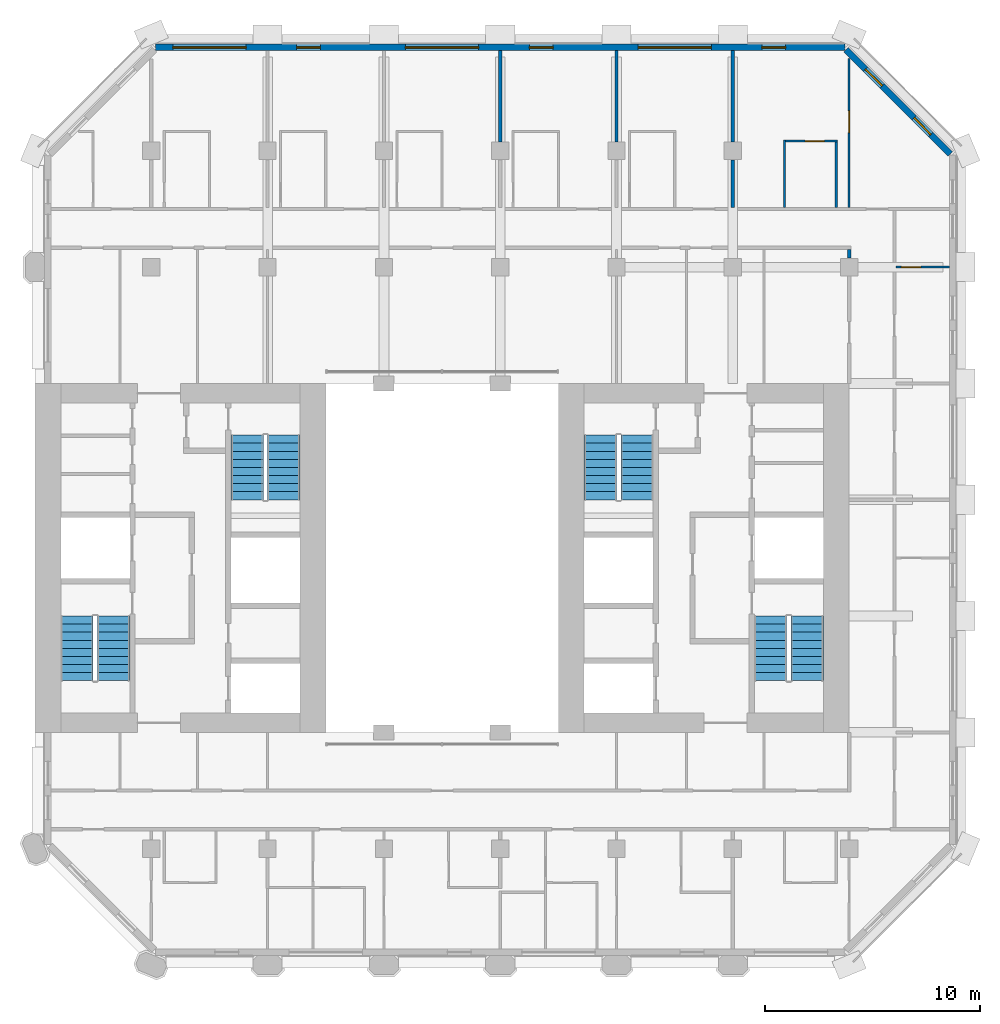
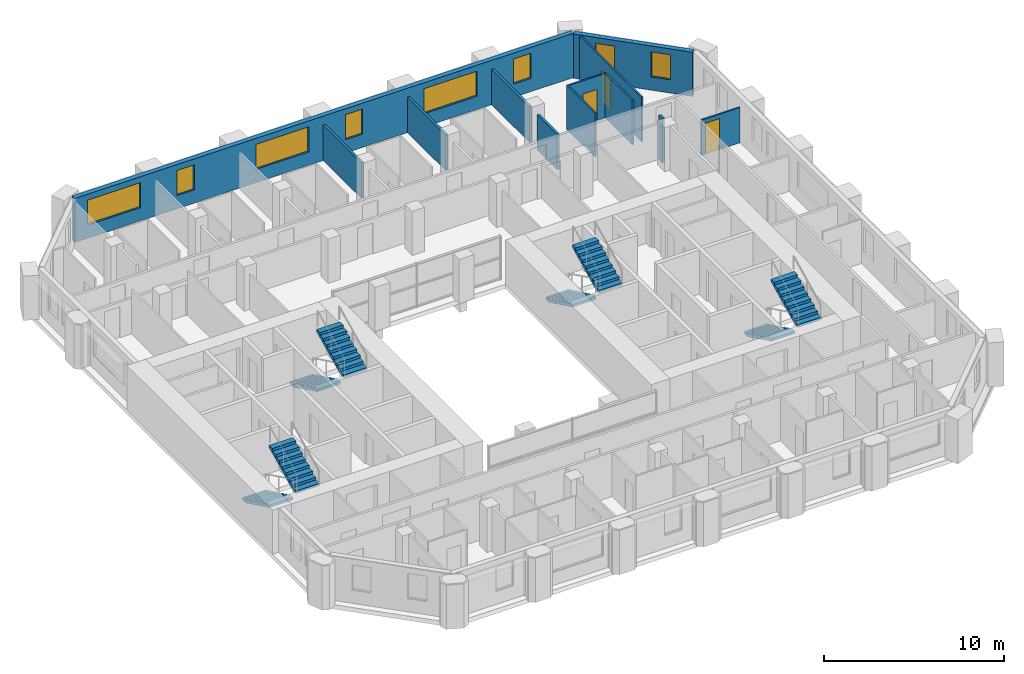
# One storey, part 9 of 12: 12 walls, 8 stair flights, 8 windows, 3 doors, 11 openings, 4 elements without a shape of their own.
"""IFC4 building model written with IfcOpenShell, lengths in metres."""

from ifc_helpers import new_model, si_unit, direction, frame, frame_2d, origin, place, context, subcontext, project, spatial, polyline, rectangle, outline, extrude, material, layer, layer_set, type_object, element, fill, aggregate, save


model = new_model("IFC4")

# Units and contexts
model_context = context("Model", 3, precision=1e-05, world=origin(), true_north=direction((0.0, 1.0)))
body_context = subcontext(model_context, "Body", "Model", "MODEL_VIEW")
ifc_project = project(units=[si_unit("LENGTHUNIT", "METRE"), si_unit("AREAUNIT", "SQUARE_METRE"), si_unit("VOLUMEUNIT", "CUBIC_METRE"), si_unit("PLANEANGLEUNIT", "RADIAN"), si_unit("MASSUNIT", "GRAM", prefix="KILO")], contexts=[model_context])

# Site, building, storey
site_placement = place(None, origin())
site = spatial("IfcSite", under=ifc_project, at=site_placement, CompositionType="ELEMENT")
building_placement = place(site_placement, origin())
building = spatial("IfcBuilding", under=site, at=building_placement, Name="Tabaq Tower and Sports Hall", CompositionType="ELEMENT")
storey_placement = place(building_placement, frame((0.0, 0.0, 184.0)))
storey = spatial("IfcBuildingStorey", under=building, at=storey_placement, Name="L44", CompositionType="ELEMENT", Elevation=184.0)

# Wall, opening, door
ifc_material_1 = material(Name="Gypsum board on steel studs", Category="steel")
ifc_layer_1 = layer(ifc_material_1, 0.10009765625)
ifc_layer_set_1 = layer_set([ifc_layer_1], Name="Partition 100 Gypsum board")
wall_type_1 = type_object("IfcWallType", Name="Partition 100 Gypsum board", PredefinedType="PARTITIONING", material=ifc_layer_set_1)
wall_1_placement = place(storey_placement, frame((47.84912109375, 37.800048828125, 0.0), z_axis=(0.0, 0.0, 1.0), x_axis=(-1.0, 0.0, 0.0)))
wall_1 = element("IfcWall", 1, at=wall_1_placement, inside=storey, type_object=wall_type_1, Name="Partition wall L44", PredefinedType="PARTITIONING", context=body_context, shape_type="SweptSolid", body=[
    extrude(rectangle(XDim=2.47412109375, YDim=0.10009765625, at=frame_2d((1.237060546875, 0.0))), origin(), (0.0, 0.0, 1.0), 2.39990234375),
])
opening_1_placement = place(wall_1_placement, frame((1.323974609375, 0.0, 0.0)))
opening_1 = element("IfcOpeningElement", 2, at=opening_1_placement, cuts=wall_1, Name="Opening L44-001", PredefinedType="OPENING", context=body_context, shape_type="SweptSolid", body=[
    extrude(rectangle(XDim=0.89990234375, YDim=2.10009765625, at=frame_2d((0.449951171875, 1.050048828125))), frame((0.0, 0.050048828125, 0.0), z_axis=(0.0, -1.0, 0.0), x_axis=(1.0, 0.0, 0.0)), (0.0, 0.0, 1.0), 0.10009765625),
])
ifc_material_2 = material(Name="Timber leaf in steel frame", Category="steel")
door_type_1 = type_object("IfcDoorType", Name="Internal door 900 left hand", OperationType="SINGLE_SWING_LEFT", PredefinedType="DOOR", material=ifc_material_2)
door_1_placement = place(opening_1_placement, origin())
door_1 = element("IfcDoor", 3, at=door_1_placement, inside=storey, type_object=door_type_1, Name="Internal door L44-001", OperationType="SINGLE_SWING_LEFT", OverallHeight=2.10009765625, OverallWidth=0.89990234375, PredefinedType="DOOR", context=body_context, shape_type="SweptSolid", body=[
    extrude(rectangle(XDim=0.89990234375, YDim=2.10009765625, at=frame_2d((0.449951171875, 1.050048828125))), frame((0.0, 0.02490234375, 0.0), z_axis=(0.0, -1.0, 0.0), x_axis=(1.0, 0.0, 0.0)), (0.0, 0.0, 1.0), 0.050048828125),
])
fill(opening_1, door_1)

# Wall
wall_2_placement = place(storey_placement, frame((40.199951171875, 40.574951171875, 0.0), z_axis=(0.0, 0.0, 1.0), x_axis=(0.0, 1.0, 0.0)))
element("IfcWall", 4, at=wall_2_placement, inside=storey, type_object=wall_type_1, Name="Partition wall L44", PredefinedType="PARTITIONING", context=body_context, shape_type="SweptSolid", body=[
    extrude(rectangle(XDim=3.125, YDim=0.10009765625, at=frame_2d((1.5625, 0.0))), origin(), (0.0, 0.0, 1.0), 3.0),
])

# Wall, opening, door
wall_3_placement = place(storey_placement, frame((40.25, 43.64990234375, 0.0), z_axis=(0.0, 0.0, 1.0), x_axis=(1.0, 0.0, 0.0)))
wall_3 = element("IfcWall", 5, at=wall_3_placement, inside=storey, type_object=wall_type_1, Name="Partition wall L44", PredefinedType="PARTITIONING", context=body_context, shape_type="SweptSolid", body=[
    extrude(rectangle(XDim=2.39990234375, YDim=0.10009765625, at=frame_2d((1.199951171875, 0.0))), origin(), (0.0, 0.0, 1.0), 3.0),
])
opening_2_placement = place(wall_3_placement, frame((0.89990234375, 0.0, 0.0)))
opening_2 = element("IfcOpeningElement", 6, at=opening_2_placement, cuts=wall_3, Name="Opening L44-008", PredefinedType="OPENING", context=body_context, shape_type="SweptSolid", body=[
    extrude(rectangle(XDim=0.89990234375, YDim=2.10009765625, at=frame_2d((0.449951171875, 1.050048828125))), frame((0.0, 0.050048828125, 0.0), z_axis=(0.0, -1.0, 0.0), x_axis=(1.0, 0.0, 0.0)), (0.0, 0.0, 1.0), 0.10009765625),
])
ifc_material_3 = material(Name="Timber leaf in steel frame", Category="steel")
door_type_2 = type_object("IfcDoorType", Name="Internal door 900 right hand", OperationType="SINGLE_SWING_RIGHT", PredefinedType="DOOR", material=ifc_material_3)
door_2_placement = place(opening_2_placement, origin())
door_2 = element("IfcDoor", 7, at=door_2_placement, inside=storey, type_object=door_type_2, Name="Internal door L44-008", OperationType="SINGLE_SWING_RIGHT", OverallHeight=2.10009765625, OverallWidth=0.89990234375, PredefinedType="DOOR", context=body_context, shape_type="SweptSolid", body=[
    extrude(rectangle(XDim=0.89990234375, YDim=2.10009765625, at=frame_2d((0.449951171875, 1.050048828125))), frame((0.0, 0.02490234375, 0.0), z_axis=(0.0, -1.0, 0.0), x_axis=(1.0, 0.0, 0.0)), (0.0, 0.0, 1.0), 0.050048828125),
])
fill(opening_2, door_2)

# Wall
wall_4_placement = place(storey_placement, frame((42.60009765625, 43.60009765625, 0.0), z_axis=(0.0, 0.0, 1.0), x_axis=(0.0, -1.0, 0.0)))
element("IfcWall", 8, at=wall_4_placement, inside=storey, type_object=wall_type_1, Name="Partition wall L44", PredefinedType="PARTITIONING", context=body_context, shape_type="SweptSolid", body=[
    extrude(rectangle(XDim=3.025146484375, YDim=0.10009765625, at=frame_2d((1.5126953125, 0.0))), origin(), (0.0, 0.0, 1.0), 3.0),
])

# Wall, opening, door
wall_5_placement = place(storey_placement, frame((43.199951171875, 40.574951171875, 0.0), z_axis=(0.0, 0.0, 1.0), x_axis=(0.0, 1.0, 0.0)))
wall_5 = element("IfcWall", 9, at=wall_5_placement, inside=storey, type_object=wall_type_1, Name="Partition wall L44", PredefinedType="PARTITIONING", context=body_context, shape_type="SweptSolid", body=[
    extrude(rectangle(XDim=6.912841796875, YDim=0.10009765625, at=frame_2d((3.45654296875, 0.0))), origin(), (0.0, 0.0, 1.0), 3.0),
])
opening_3_placement = place(wall_5_placement, frame((3.47509765625, 0.0, 0.0)))
opening_3 = element("IfcOpeningElement", 10, at=opening_3_placement, cuts=wall_5, Name="Opening L44-037", PredefinedType="OPENING", context=body_context, shape_type="SweptSolid", body=[
    extrude(rectangle(XDim=1.0, YDim=2.10009765625, at=frame_2d((0.5, 1.050048828125))), frame((0.0, 0.050048828125, 0.0), z_axis=(0.0, -1.0, 0.0), x_axis=(1.0, 0.0, 0.0)), (0.0, 0.0, 1.0), 0.10009765625),
])
ifc_material_4 = material(Name="Timber leaf in steel frame", Category="steel")
door_type_3 = type_object("IfcDoorType", Name="Internal door 1000 right hand", OperationType="SINGLE_SWING_RIGHT", PredefinedType="DOOR", material=ifc_material_4)
door_3_placement = place(opening_3_placement, origin())
door_3 = element("IfcDoor", 11, at=door_3_placement, inside=storey, type_object=door_type_3, Name="Internal door L44-037", OperationType="SINGLE_SWING_RIGHT", OverallHeight=2.10009765625, OverallWidth=1.0, PredefinedType="DOOR", context=body_context, shape_type="SweptSolid", body=[
    extrude(rectangle(XDim=1.0, YDim=2.10009765625, at=frame_2d((0.5, 1.050048828125))), frame((0.0, 0.02490234375, 0.0), z_axis=(0.0, -1.0, 0.0), x_axis=(1.0, 0.0, 0.0)), (0.0, 0.0, 1.0), 0.050048828125),
])
fill(opening_3, door_3)

# Walls
ifc_material_5 = material(Name="Blockwork", Category="masonry")
ifc_layer_2 = layer(ifc_material_5, 0.14990234375)
ifc_layer_set_2 = layer_set([ifc_layer_2], Name="Separating wall 150 Blockwork")
wall_type_2 = type_object("IfcWallType", Name="Separating wall 150 Blockwork", PredefinedType="PARTITIONING", material=ifc_layer_set_2)
for number, where, z_axis, x_axis, name in (
    (12, (27.0, 43.6201171875, 0.0), (0.0, 0.0, 1.0), (0.0, 1.0, 0.0), "Separating wall L44"),
    (13, (32.39990234375, 43.6201171875, 0.0), (0.0, 0.0, 1.0), (0.0, 1.0, 0.0), "Separating wall L44"),
):
    element("IfcWall", number, at=place(storey_placement, frame(where, z_axis=z_axis, x_axis=x_axis)), inside=storey, type_object=wall_type_2, Name=name, PredefinedType="PARTITIONING", context=body_context, shape_type="SweptSolid", body=[
        extrude(rectangle(XDim=4.22900390625, YDim=0.14990234375, at=frame_2d((2.114501953125, 0.0))), origin(), (0.0, 0.0, 1.0), 2.39990234375),
    ])
wall_6_placement = place(storey_placement, frame((37.800048828125, 40.574951171875, 0.0), z_axis=(0.0, 0.0, 1.0), x_axis=(0.0, 1.0, 0.0)))
element("IfcWall", 14, at=wall_6_placement, inside=storey, type_object=wall_type_2, Name="Separating wall L44", PredefinedType="PARTITIONING", context=body_context, shape_type="SweptSolid", body=[
    extrude(rectangle(XDim=2.205078125, YDim=0.14990234375, at=frame_2d((1.1025390625, 0.0))), origin(), (0.0, 0.0, 1.0), 2.39990234375),
])
wall_7_placement = place(storey_placement, frame((37.800048828125, 43.6201171875, 0.0), z_axis=(0.0, 0.0, 1.0), x_axis=(0.0, 1.0, 0.0)))
element("IfcWall", 15, at=wall_7_placement, inside=storey, type_object=wall_type_2, Name="Separating wall L44", PredefinedType="PARTITIONING", context=body_context, shape_type="SweptSolid", body=[
    extrude(rectangle(XDim=4.22900390625, YDim=0.14990234375, at=frame_2d((2.114501953125, 0.0))), origin(), (0.0, 0.0, 1.0), 2.39990234375),
])
wall_8_placement = place(storey_placement, frame((43.199951171875, 38.625, 0.0), z_axis=(0.0, 0.0, 1.0), x_axis=(0.0, -1.0, 0.0)))
element("IfcWall", 16, at=wall_8_placement, inside=storey, type_object=wall_type_2, Name="Separating wall L44", PredefinedType="PARTITIONING", context=body_context, shape_type="SweptSolid", body=[
    extrude(rectangle(XDim=0.405029296875, YDim=0.14990234375, at=frame_2d((0.20263671875, 0.0))), origin(), (0.0, 0.0, 1.0), 3.0),
])

# Wall, openings, windows
ifc_material_6 = material(Name="White precast concrete C60/75", Category="concrete")
ifc_layer_3 = layer(ifc_material_6, 0.300048828125)
ifc_layer_set_3 = layer_set([ifc_layer_3], Name="White precast concrete C60/75 external wall 300")
wall_type_3 = type_object("IfcWallType", Name="White precast concrete C60/75 external wall 300", PredefinedType="SOLIDWALL", material=ifc_layer_set_3)
wall_9_placement = place(storey_placement, frame((47.901123046875, 43.050537109375, 0.0), z_axis=(0.0, 0.0, 1.0), x_axis=(-0.707106781187, 0.707106781187, 0.0)))
wall_9 = element("IfcWall", 17, at=wall_9_placement, inside=storey, type_object=wall_type_3, Name="External Wall L44 NE", PredefinedType="SOLIDWALL", context=body_context, shape_type="SweptSolid", body=[
    extrude(rectangle(XDim=6.85986328125, YDim=0.300048828125, at=frame_2d((3.429931640625, 0.0))), origin(), (0.0, 0.0, 1.0), 3.0),
])
opening_4_placement = place(wall_9_placement, frame((1.27978515625, 0.0, 0.89990234375)))
opening_4 = element("IfcOpeningElement", 18, at=opening_4_placement, cuts=wall_9, Name="Opening W1B", PredefinedType="OPENING", context=body_context, shape_type="SweptSolid", body=[
    extrude(rectangle(XDim=1.10009765625, YDim=1.699951171875, at=frame_2d((0.550048828125, 0.85009765625))), frame((0.0, 0.16015625, 0.0), z_axis=(0.0, -1.0, 0.0), x_axis=(1.0, 0.0, 0.0)), (0.0, 0.0, 1.0), 0.320068359375),
])
opening_5_placement = place(wall_9_placement, frame((4.479736328125, 0.0, 0.89990234375)))
opening_5 = element("IfcOpeningElement", 19, at=opening_5_placement, cuts=wall_9, Name="Opening W1B", PredefinedType="OPENING", context=body_context, shape_type="SweptSolid", body=[
    extrude(rectangle(XDim=1.10009765625, YDim=1.699951171875, at=frame_2d((0.550048828125, 0.85009765625))), frame((0.0, 0.16015625, 0.0), z_axis=(0.0, -1.0, 0.0), x_axis=(1.0, 0.0, 0.0)), (0.0, 0.0, 1.0), 0.320068359375),
])
ifc_material_7 = material(Name="Aluminium framed clear glazing", Category="aluminium")
window_type_1 = type_object("IfcWindowType", Name="Window W1B", PartitioningType="SINGLE_PANEL", PredefinedType="WINDOW", material=ifc_material_7)
window_1_placement = place(opening_4_placement, origin())
window_1 = element("IfcWindow", 20, at=window_1_placement, inside=storey, type_object=window_type_1, Name="Window W1B L44", OverallHeight=1.699951171875, OverallWidth=1.10009765625, PartitioningType="SINGLE_PANEL", PredefinedType="WINDOW", context=body_context, shape_type="SweptSolid", body=[
    extrude(rectangle(XDim=1.10009765625, YDim=1.699951171875, at=frame_2d((0.550048828125, 0.85009765625))), frame((0.0, 0.030029296875, 0.0), z_axis=(0.0, -1.0, 0.0), x_axis=(1.0, 0.0, 0.0)), (0.0, 0.0, 1.0), 0.06005859375),
])
fill(opening_4, window_1)
window_2_placement = place(opening_5_placement, origin())
window_2 = element("IfcWindow", 21, at=window_2_placement, inside=storey, type_object=window_type_1, Name="Window W1B L44", OverallHeight=1.699951171875, OverallWidth=1.10009765625, PartitioningType="SINGLE_PANEL", PredefinedType="WINDOW", context=body_context, shape_type="SweptSolid", body=[
    extrude(rectangle(XDim=1.10009765625, YDim=1.699951171875, at=frame_2d((0.550048828125, 0.85009765625))), frame((0.0, 0.030029296875, 0.0), z_axis=(0.0, -1.0, 0.0), x_axis=(1.0, 0.0, 0.0)), (0.0, 0.0, 1.0), 0.06005859375),
])
fill(opening_5, window_2)

wall_10_placement = place(storey_placement, frame((43.013671875, 48.0, 0.0), z_axis=(0.0, 0.0, 1.0), x_axis=(-1.0, 0.0, 0.0)))
wall_10 = element("IfcWall", 22, at=wall_10_placement, inside=storey, type_object=wall_type_3, Name="External Wall L44 N", PredefinedType="SOLIDWALL", context=body_context, shape_type="SweptSolid", body=[
    extrude(rectangle(XDim=32.02734375, YDim=0.300048828125, at=frame_2d((16.013671875, 0.0))), origin(), (0.0, 0.0, 1.0), 3.0),
])
opening_6_placement = place(wall_10_placement, frame((2.763671875, 0.0, 0.89990234375)))
opening_6 = element("IfcOpeningElement", 23, at=opening_6_placement, cuts=wall_10, Name="Opening W1B", PredefinedType="OPENING", context=body_context, shape_type="SweptSolid", body=[
    extrude(rectangle(XDim=1.10009765625, YDim=1.699951171875, at=frame_2d((0.550048828125, 0.85009765625))), frame((0.0, 0.16015625, 0.0), z_axis=(0.0, -1.0, 0.0), x_axis=(1.0, 0.0, 0.0)), (0.0, 0.0, 1.0), 0.320068359375),
])
opening_7_placement = place(wall_10_placement, frame((6.213623046875, 0.0, 0.89990234375)))
opening_7 = element("IfcOpeningElement", 24, at=opening_7_placement, cuts=wall_10, Name="Opening W1A", PredefinedType="OPENING", context=body_context, shape_type="SweptSolid", body=[
    extrude(rectangle(XDim=3.39990234375, YDim=1.699951171875, at=frame_2d((1.699951171875, 0.85009765625))), frame((0.0, 0.16015625, 0.0), z_axis=(0.0, -1.0, 0.0), x_axis=(1.0, 0.0, 0.0)), (0.0, 0.0, 1.0), 0.320068359375),
])
opening_8_placement = place(wall_10_placement, frame((13.563720703125, 0.0, 0.89990234375)))
opening_8 = element("IfcOpeningElement", 25, at=opening_8_placement, cuts=wall_10, Name="Opening W1B", PredefinedType="OPENING", context=body_context, shape_type="SweptSolid", body=[
    extrude(rectangle(XDim=1.10009765625, YDim=1.699951171875, at=frame_2d((0.550048828125, 0.85009765625))), frame((0.0, 0.16015625, 0.0), z_axis=(0.0, -1.0, 0.0), x_axis=(1.0, 0.0, 0.0)), (0.0, 0.0, 1.0), 0.320068359375),
])
opening_9_placement = place(wall_10_placement, frame((17.013671875, 0.0, 0.89990234375)))
opening_9 = element("IfcOpeningElement", 26, at=opening_9_placement, cuts=wall_10, Name="Opening W1A", PredefinedType="OPENING", context=body_context, shape_type="SweptSolid", body=[
    extrude(rectangle(XDim=3.39990234375, YDim=1.699951171875, at=frame_2d((1.699951171875, 0.85009765625))), frame((0.0, 0.16015625, 0.0), z_axis=(0.0, -1.0, 0.0), x_axis=(1.0, 0.0, 0.0)), (0.0, 0.0, 1.0), 0.320068359375),
])
opening_10_placement = place(wall_10_placement, frame((24.363525390625, 0.0, 0.89990234375)))
opening_10 = element("IfcOpeningElement", 27, at=opening_10_placement, cuts=wall_10, Name="Opening W1B", PredefinedType="OPENING", context=body_context, shape_type="SweptSolid", body=[
    extrude(rectangle(XDim=1.10009765625, YDim=1.699951171875, at=frame_2d((0.550048828125, 0.85009765625))), frame((0.0, 0.16015625, 0.0), z_axis=(0.0, -1.0, 0.0), x_axis=(1.0, 0.0, 0.0)), (0.0, 0.0, 1.0), 0.320068359375),
])
opening_11_placement = place(wall_10_placement, frame((27.813720703125, 0.0, 0.89990234375)))
opening_11 = element("IfcOpeningElement", 28, at=opening_11_placement, cuts=wall_10, Name="Opening W1A", PredefinedType="OPENING", context=body_context, shape_type="SweptSolid", body=[
    extrude(rectangle(XDim=3.39990234375, YDim=1.699951171875, at=frame_2d((1.699951171875, 0.85009765625))), frame((0.0, 0.16015625, 0.0), z_axis=(0.0, -1.0, 0.0), x_axis=(1.0, 0.0, 0.0)), (0.0, 0.0, 1.0), 0.320068359375),
])
ifc_material_8 = material(Name="Aluminium framed clear glazing", Category="aluminium")
window_type_2 = type_object("IfcWindowType", Name="Window W1A", PartitioningType="SINGLE_PANEL", PredefinedType="WINDOW", material=ifc_material_8)
window_3_placement = place(opening_7_placement, origin())
window_3 = element("IfcWindow", 29, at=window_3_placement, inside=storey, type_object=window_type_2, Name="Window W1A L44", OverallHeight=1.699951171875, OverallWidth=3.39990234375, PartitioningType="SINGLE_PANEL", PredefinedType="WINDOW", context=body_context, shape_type="SweptSolid", body=[
    extrude(rectangle(XDim=3.39990234375, YDim=1.699951171875, at=frame_2d((1.699951171875, 0.85009765625))), frame((0.0, 0.030029296875, 0.0), z_axis=(0.0, -1.0, 0.0), x_axis=(1.0, 0.0, 0.0)), (0.0, 0.0, 1.0), 0.06005859375),
])
fill(opening_7, window_3)
window_4_placement = place(opening_9_placement, origin())
window_4 = element("IfcWindow", 30, at=window_4_placement, inside=storey, type_object=window_type_2, Name="Window W1A L44", OverallHeight=1.699951171875, OverallWidth=3.39990234375, PartitioningType="SINGLE_PANEL", PredefinedType="WINDOW", context=body_context, shape_type="SweptSolid", body=[
    extrude(rectangle(XDim=3.39990234375, YDim=1.699951171875, at=frame_2d((1.699951171875, 0.85009765625))), frame((0.0, 0.030029296875, 0.0), z_axis=(0.0, -1.0, 0.0), x_axis=(1.0, 0.0, 0.0)), (0.0, 0.0, 1.0), 0.06005859375),
])
fill(opening_9, window_4)
window_5_placement = place(opening_11_placement, origin())
window_5 = element("IfcWindow", 31, at=window_5_placement, inside=storey, type_object=window_type_2, Name="Window W1A L44", OverallHeight=1.699951171875, OverallWidth=3.39990234375, PartitioningType="SINGLE_PANEL", PredefinedType="WINDOW", context=body_context, shape_type="SweptSolid", body=[
    extrude(rectangle(XDim=3.39990234375, YDim=1.699951171875, at=frame_2d((1.699951171875, 0.85009765625))), frame((0.0, 0.030029296875, 0.0), z_axis=(0.0, -1.0, 0.0), x_axis=(1.0, 0.0, 0.0)), (0.0, 0.0, 1.0), 0.06005859375),
])
fill(opening_11, window_5)
window_6_placement = place(opening_6_placement, origin())
window_6 = element("IfcWindow", 32, at=window_6_placement, inside=storey, type_object=window_type_1, Name="Window W1B L44", OverallHeight=1.699951171875, OverallWidth=1.10009765625, PartitioningType="SINGLE_PANEL", PredefinedType="WINDOW", context=body_context, shape_type="SweptSolid", body=[
    extrude(rectangle(XDim=1.10009765625, YDim=1.699951171875, at=frame_2d((0.550048828125, 0.85009765625))), frame((0.0, 0.030029296875, 0.0), z_axis=(0.0, -1.0, 0.0), x_axis=(1.0, 0.0, 0.0)), (0.0, 0.0, 1.0), 0.06005859375),
])
fill(opening_6, window_6)
window_7_placement = place(opening_8_placement, origin())
window_7 = element("IfcWindow", 33, at=window_7_placement, inside=storey, type_object=window_type_1, Name="Window W1B L44", OverallHeight=1.699951171875, OverallWidth=1.10009765625, PartitioningType="SINGLE_PANEL", PredefinedType="WINDOW", context=body_context, shape_type="SweptSolid", body=[
    extrude(rectangle(XDim=1.10009765625, YDim=1.699951171875, at=frame_2d((0.550048828125, 0.85009765625))), frame((0.0, 0.030029296875, 0.0), z_axis=(0.0, -1.0, 0.0), x_axis=(1.0, 0.0, 0.0)), (0.0, 0.0, 1.0), 0.06005859375),
])
fill(opening_8, window_7)
window_8_placement = place(opening_10_placement, origin())
window_8 = element("IfcWindow", 34, at=window_8_placement, inside=storey, type_object=window_type_1, Name="Window W1B L44", OverallHeight=1.699951171875, OverallWidth=1.10009765625, PartitioningType="SINGLE_PANEL", PredefinedType="WINDOW", context=body_context, shape_type="SweptSolid", body=[
    extrude(rectangle(XDim=1.10009765625, YDim=1.699951171875, at=frame_2d((0.550048828125, 0.85009765625))), frame((0.0, 0.030029296875, 0.0), z_axis=(0.0, -1.0, 0.0), x_axis=(1.0, 0.0, 0.0)), (0.0, 0.0, 1.0), 0.06005859375),
])
fill(opening_10, window_8)

# Stair, stair flights
ifc_material_9 = material(Name="Concrete C40/50", Category="concrete")
stair_type = type_object("IfcStairType", Name="Exit stair", PredefinedType="HALF_TURN_STAIR", material=ifc_material_9)
stair_1_placement = place(storey_placement, origin())
stair_1 = element("IfcStair", 35, at=stair_1_placement, inside=storey, type_object=stair_type, Name="L44 Exit stair ST1", PredefinedType="HALF_TURN_STAIR")
ifc_material_10 = material(Name="Concrete C40/50", Category="concrete")
stair_flight_type = type_object("IfcStairFlightType", Name="Exit stair flight", PredefinedType="STRAIGHT", material=ifc_material_10)
stair_flight_1_placement = place(storey_placement, frame((7.35009765625, 21.60009765625, 0.0), z_axis=(0.0, 0.0, 1.0), x_axis=(0.0, -1.0, 0.0)))
stair_flight_1 = element("IfcStairFlight", 36, at=stair_flight_1_placement, type_object=stair_flight_type, Name="ST1 flight 1", NumberOfRisers=9, NumberOfTreads=8, PredefinedType="STRAIGHT", RiserHeight=0.183333333, TreadLength=0.375, context=body_context, shape_type="SweptSolid", body=[
    extrude(outline(polyline([(0.0, 0.0), (0.0, 0.183349609375), (0.375, 0.183349609375), (0.375, 0.36669921875), (0.75, 0.36669921875), (0.75, 0.550048828125), (1.125, 0.550048828125), (1.125, 0.7333984375), (1.5, 0.7333984375), (1.5, 0.916748046875), (1.875, 0.916748046875), (1.875, 1.10009765625), (2.25, 1.10009765625), (2.25, 1.283447265625), (2.625, 1.283447265625), (2.625, 1.466552734375), (3.0, 1.466552734375), (3.0, 1.64990234375), (3.0, 1.2998046875), (0.34130859375, 0.0), (0.0, 0.0)])), frame((0.0, 0.75, 0.0), z_axis=(0.0, -1.0, 0.0), x_axis=(1.0, 0.0, 0.0)), (0.0, 0.0, 1.0), 1.5),
])
stair_flight_2_placement = place(storey_placement, frame((9.050048828125, 18.60009765625, 1.64990234375), z_axis=(0.0, 0.0, 1.0), x_axis=(0.0, 1.0, 0.0)))
stair_flight_2 = element("IfcStairFlight", 37, at=stair_flight_2_placement, type_object=stair_flight_type, Name="ST1 flight 2", NumberOfRisers=9, NumberOfTreads=8, PredefinedType="STRAIGHT", RiserHeight=0.183333333, TreadLength=0.375, context=body_context, shape_type="SweptSolid", body=[
    extrude(outline(polyline([(0.0, 0.0), (0.0, 0.183349609375), (0.375, 0.183349609375), (0.375, 0.36669921875), (0.75, 0.36669921875), (0.75, 0.550048828125), (1.125, 0.550048828125), (1.125, 0.7333984375), (1.5, 0.7333984375), (1.5, 0.916748046875), (1.875, 0.916748046875), (1.875, 1.10009765625), (2.25, 1.10009765625), (2.25, 1.283447265625), (2.625, 1.283447265625), (2.625, 1.466552734375), (3.0, 1.466552734375), (3.0, 1.64990234375), (3.0, 1.2998046875), (0.34130859375, 0.0), (0.0, 0.0)])), frame((0.0, 0.75, 0.0), z_axis=(0.0, -1.0, 0.0), x_axis=(1.0, 0.0, 0.0)), (0.0, 0.0, 1.0), 1.5),
])
aggregate(stair_1, [stair_flight_1, stair_flight_2])

stair_2_placement = place(storey_placement, origin())
stair_2 = element("IfcStair", 38, at=stair_2_placement, inside=storey, type_object=stair_type, Name="L44 Exit stair ST2", PredefinedType="HALF_TURN_STAIR")
stair_flight_3_placement = place(storey_placement, frame((15.25, 30.0, 0.0), z_axis=(0.0, 0.0, 1.0), x_axis=(0.0, -1.0, 0.0)))
stair_flight_3 = element("IfcStairFlight", 39, at=stair_flight_3_placement, type_object=stair_flight_type, Name="ST2 flight 1", NumberOfRisers=9, NumberOfTreads=8, PredefinedType="STRAIGHT", RiserHeight=0.183333333, TreadLength=0.375, context=body_context, shape_type="SweptSolid", body=[
    extrude(outline(polyline([(0.0, 0.0), (0.0, 0.183349609375), (0.375, 0.183349609375), (0.375, 0.36669921875), (0.75, 0.36669921875), (0.75, 0.550048828125), (1.125, 0.550048828125), (1.125, 0.7333984375), (1.5, 0.7333984375), (1.5, 0.916748046875), (1.875, 0.916748046875), (1.875, 1.10009765625), (2.25, 1.10009765625), (2.25, 1.283447265625), (2.625, 1.283447265625), (2.625, 1.466552734375), (3.0, 1.466552734375), (3.0, 1.64990234375), (3.0, 1.2998046875), (0.34130859375, 0.0), (0.0, 0.0)])), frame((0.0, 0.75, 0.0), z_axis=(0.0, -1.0, 0.0), x_axis=(1.0, 0.0, 0.0)), (0.0, 0.0, 1.0), 1.5),
])
stair_flight_4_placement = place(storey_placement, frame((16.949951171875, 27.0, 1.64990234375), z_axis=(0.0, 0.0, 1.0), x_axis=(0.0, 1.0, 0.0)))
stair_flight_4 = element("IfcStairFlight", 40, at=stair_flight_4_placement, type_object=stair_flight_type, Name="ST2 flight 2", NumberOfRisers=9, NumberOfTreads=8, PredefinedType="STRAIGHT", RiserHeight=0.183333333, TreadLength=0.375, context=body_context, shape_type="SweptSolid", body=[
    extrude(outline(polyline([(0.0, 0.0), (0.0, 0.183349609375), (0.375, 0.183349609375), (0.375, 0.36669921875), (0.75, 0.36669921875), (0.75, 0.550048828125), (1.125, 0.550048828125), (1.125, 0.7333984375), (1.5, 0.7333984375), (1.5, 0.916748046875), (1.875, 0.916748046875), (1.875, 1.10009765625), (2.25, 1.10009765625), (2.25, 1.283447265625), (2.625, 1.283447265625), (2.625, 1.466552734375), (3.0, 1.466552734375), (3.0, 1.64990234375), (3.0, 1.2998046875), (0.34130859375, 0.0), (0.0, 0.0)])), frame((0.0, 0.75, 0.0), z_axis=(0.0, -1.0, 0.0), x_axis=(1.0, 0.0, 0.0)), (0.0, 0.0, 1.0), 1.5),
])
aggregate(stair_2, [stair_flight_3, stair_flight_4])

stair_3_placement = place(storey_placement, origin())
stair_3 = element("IfcStair", 41, at=stair_3_placement, inside=storey, type_object=stair_type, Name="L44 Exit stair ST3", PredefinedType="HALF_TURN_STAIR")
stair_flight_5_placement = place(storey_placement, frame((39.550048828125, 21.60009765625, 0.0), z_axis=(0.0, 0.0, 1.0), x_axis=(0.0, -1.0, 0.0)))
stair_flight_5 = element("IfcStairFlight", 42, at=stair_flight_5_placement, type_object=stair_flight_type, Name="ST3 flight 1", NumberOfRisers=9, NumberOfTreads=8, PredefinedType="STRAIGHT", RiserHeight=0.183333333, TreadLength=0.375, context=body_context, shape_type="SweptSolid", body=[
    extrude(outline(polyline([(0.0, 0.0), (0.0, 0.183349609375), (0.375, 0.183349609375), (0.375, 0.36669921875), (0.75, 0.36669921875), (0.75, 0.550048828125), (1.125, 0.550048828125), (1.125, 0.7333984375), (1.5, 0.7333984375), (1.5, 0.916748046875), (1.875, 0.916748046875), (1.875, 1.10009765625), (2.25, 1.10009765625), (2.25, 1.283447265625), (2.625, 1.283447265625), (2.625, 1.466552734375), (3.0, 1.466552734375), (3.0, 1.64990234375), (3.0, 1.2998046875), (0.34130859375, 0.0), (0.0, 0.0)])), frame((0.0, 0.75, 0.0), z_axis=(0.0, -1.0, 0.0), x_axis=(1.0, 0.0, 0.0)), (0.0, 0.0, 1.0), 1.5),
])
stair_flight_6_placement = place(storey_placement, frame((41.25, 18.60009765625, 1.64990234375), z_axis=(0.0, 0.0, 1.0), x_axis=(0.0, 1.0, 0.0)))
stair_flight_6 = element("IfcStairFlight", 43, at=stair_flight_6_placement, type_object=stair_flight_type, Name="ST3 flight 2", NumberOfRisers=9, NumberOfTreads=8, PredefinedType="STRAIGHT", RiserHeight=0.183333333, TreadLength=0.375, context=body_context, shape_type="SweptSolid", body=[
    extrude(outline(polyline([(0.0, 0.0), (0.0, 0.183349609375), (0.375, 0.183349609375), (0.375, 0.36669921875), (0.75, 0.36669921875), (0.75, 0.550048828125), (1.125, 0.550048828125), (1.125, 0.7333984375), (1.5, 0.7333984375), (1.5, 0.916748046875), (1.875, 0.916748046875), (1.875, 1.10009765625), (2.25, 1.10009765625), (2.25, 1.283447265625), (2.625, 1.283447265625), (2.625, 1.466552734375), (3.0, 1.466552734375), (3.0, 1.64990234375), (3.0, 1.2998046875), (0.34130859375, 0.0), (0.0, 0.0)])), frame((0.0, 0.75, 0.0), z_axis=(0.0, -1.0, 0.0), x_axis=(1.0, 0.0, 0.0)), (0.0, 0.0, 1.0), 1.5),
])
aggregate(stair_3, [stair_flight_5, stair_flight_6])

stair_4_placement = place(storey_placement, origin())
stair_4 = element("IfcStair", 44, at=stair_4_placement, inside=storey, type_object=stair_type, Name="L44 Exit stair ST4", PredefinedType="HALF_TURN_STAIR")
stair_flight_7_placement = place(storey_placement, frame((31.64990234375, 30.0, 0.0), z_axis=(0.0, 0.0, 1.0), x_axis=(0.0, -1.0, 0.0)))
stair_flight_7 = element("IfcStairFlight", 45, at=stair_flight_7_placement, type_object=stair_flight_type, Name="ST4 flight 1", NumberOfRisers=9, NumberOfTreads=8, PredefinedType="STRAIGHT", RiserHeight=0.183333333, TreadLength=0.375, context=body_context, shape_type="SweptSolid", body=[
    extrude(outline(polyline([(0.0, 0.0), (0.0, 0.183349609375), (0.375, 0.183349609375), (0.375, 0.36669921875), (0.75, 0.36669921875), (0.75, 0.550048828125), (1.125, 0.550048828125), (1.125, 0.7333984375), (1.5, 0.7333984375), (1.5, 0.916748046875), (1.875, 0.916748046875), (1.875, 1.10009765625), (2.25, 1.10009765625), (2.25, 1.283447265625), (2.625, 1.283447265625), (2.625, 1.466552734375), (3.0, 1.466552734375), (3.0, 1.64990234375), (3.0, 1.2998046875), (0.34130859375, 0.0), (0.0, 0.0)])), frame((0.0, 0.75, 0.0), z_axis=(0.0, -1.0, 0.0), x_axis=(1.0, 0.0, 0.0)), (0.0, 0.0, 1.0), 1.5),
])
stair_flight_8_placement = place(storey_placement, frame((33.35009765625, 27.0, 1.64990234375), z_axis=(0.0, 0.0, 1.0), x_axis=(0.0, 1.0, 0.0)))
stair_flight_8 = element("IfcStairFlight", 46, at=stair_flight_8_placement, type_object=stair_flight_type, Name="ST4 flight 2", NumberOfRisers=9, NumberOfTreads=8, PredefinedType="STRAIGHT", RiserHeight=0.183333333, TreadLength=0.375, context=body_context, shape_type="SweptSolid", body=[
    extrude(outline(polyline([(0.0, 0.0), (0.0, 0.183349609375), (0.375, 0.183349609375), (0.375, 0.36669921875), (0.75, 0.36669921875), (0.75, 0.550048828125), (1.125, 0.550048828125), (1.125, 0.7333984375), (1.5, 0.7333984375), (1.5, 0.916748046875), (1.875, 0.916748046875), (1.875, 1.10009765625), (2.25, 1.10009765625), (2.25, 1.283447265625), (2.625, 1.283447265625), (2.625, 1.466552734375), (3.0, 1.466552734375), (3.0, 1.64990234375), (3.0, 1.2998046875), (0.34130859375, 0.0), (0.0, 0.0)])), frame((0.0, 0.75, 0.0), z_axis=(0.0, -1.0, 0.0), x_axis=(1.0, 0.0, 0.0)), (0.0, 0.0, 1.0), 1.5),
])
aggregate(stair_4, [stair_flight_7, stair_flight_8])

save(model, "model.ifc")
